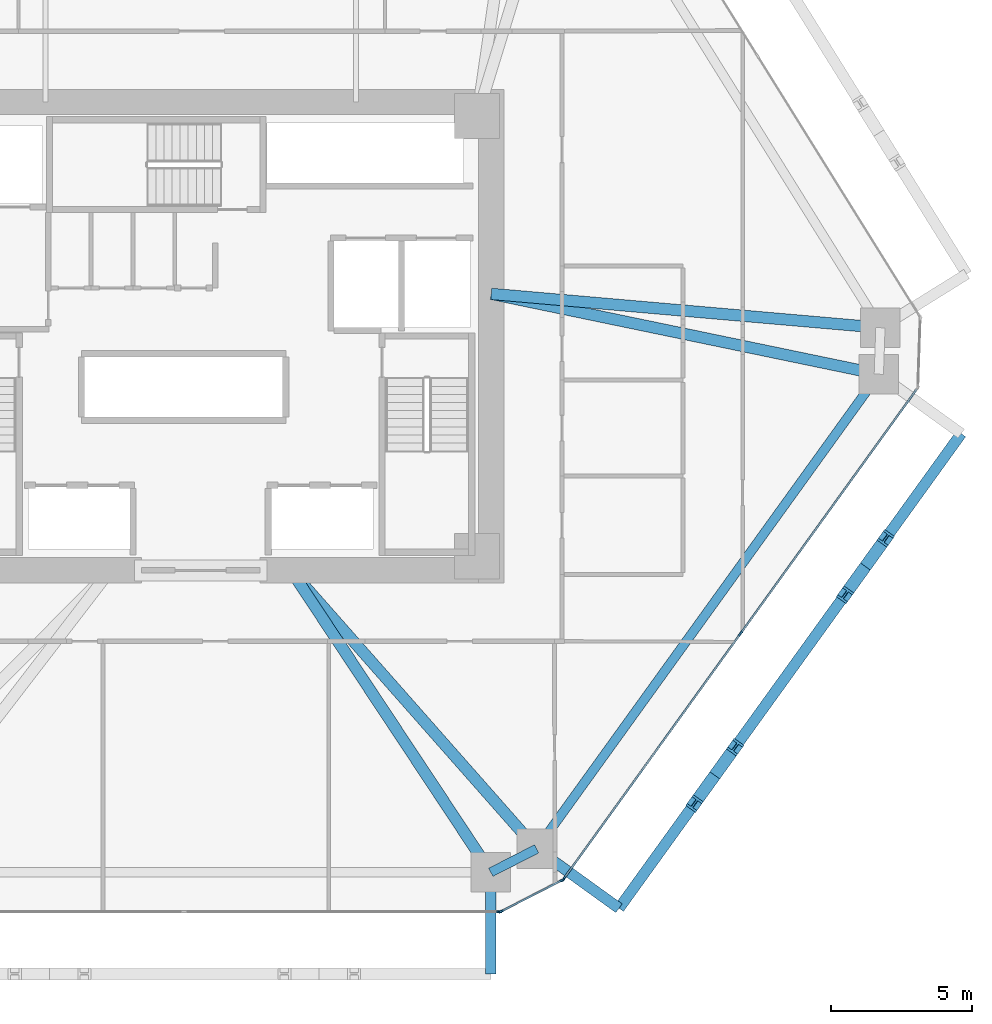
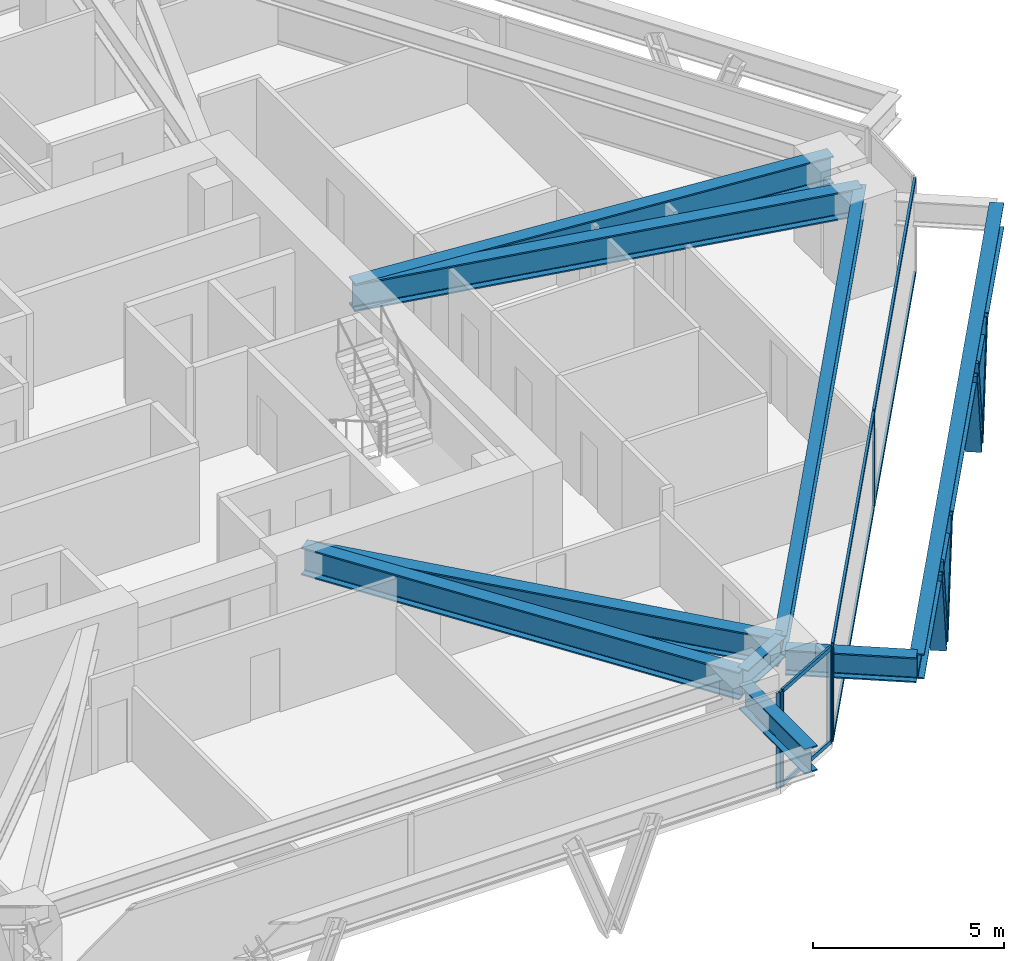
# One storey, part 5 of 15: 15 members, 9 beams, 3 elements without a shape of their own.
"""IFC4 building model written with IfcOpenShell, lengths in metres."""

from ifc_helpers import new_model, si_unit, direction, frame, origin, origin_2d, place, context, subcontext, project, spatial, rectangle, i_section, extrude, source, transform, mapped, material, layer, layer_set, material_profile, profile_set, type_object, type_shapes, element, aggregate, save


model = new_model("IFC4")

# Units and contexts
model_context = context("Model", 3, precision=1e-05, world=origin(), true_north=direction((0.0, 1.0)))
body_context = subcontext(model_context, "Body", "Model", "MODEL_VIEW")
ifc_project = project(units=[si_unit("LENGTHUNIT", "METRE"), si_unit("AREAUNIT", "SQUARE_METRE"), si_unit("VOLUMEUNIT", "CUBIC_METRE"), si_unit("PLANEANGLEUNIT", "RADIAN"), si_unit("MASSUNIT", "GRAM", prefix="KILO")], contexts=[model_context])

# Site, building, storey
site_placement = place(None, origin())
site = spatial("IfcSite", under=ifc_project, at=site_placement, CompositionType="ELEMENT")
building_placement = place(site_placement, origin())
building = spatial("IfcBuilding", under=site, at=building_placement, Name="Durnholm Broadcast Tower", CompositionType="ELEMENT")
storey_placement = place(building_placement, frame((0.0, 0.0, 55.5)))
storey = spatial("IfcBuildingStorey", under=building, at=storey_placement, Name="L13", CompositionType="ELEMENT", Elevation=55.5)

# Beams
ifc_material_1 = material(Name="Steel ASTM A992 Grade 50", Category="steel")
ifc_material_profile_1 = material_profile(ifc_material_1, i_section(OverallWidth=0.3291015625, OverallDepth=0.635009765625, WebThickness=0.017822265625, FlangeThickness=0.031005859375, FilletRadius=0.02783203125, at=origin_2d()), Name="W24X162")
ifc_profile_set_1 = profile_set([ifc_material_profile_1], Name="Steel ASTM A992 Grade 50")
beam_type_1 = type_object("IfcBeamType", Name="STL-SP-W24X162", PredefinedType="SPANDREL", material=ifc_profile_set_1)
shared_shape_1 = source(origin(), body_context, "Body", "SweptSolid", [
    extrude(i_section(OverallWidth=0.3291015625, OverallDepth=0.635009765625, WebThickness=0.017822265625, FlangeThickness=0.031005859375, FilletRadius=0.02783203125, at=origin_2d()), origin(), (0.0, 0.0, 1.0), 20.737060546875),
])
beam_1_placement = place(storey_placement, frame((24.034912109375, -1.347412109375, 2.7275390625), z_axis=(-0.584821933191, -0.811161701795, 0.0), x_axis=(0.811161701795, -0.584821933191, 0.0)))
element("IfcBeam", 1, at=beam_1_placement, inside=storey, type_object=beam_type_1, Name="L13 perimeter spandrel girder 09", PredefinedType="SPANDREL", context=body_context, shape_type="MappedRepresentation", body=[
    mapped(shared_shape_1, transform((0.0, 0.0, 0.0), x_axis=(1.0, 0.0, 0.0), y_axis=(0.0, 1.0, 0.0), z_axis=(0.0, 0.0, 1.0), scale=1.0)),
])
shared_shape_2 = source(origin(), body_context, "Body", "SweptSolid", [
    extrude(i_section(OverallWidth=0.3291015625, OverallDepth=0.635009765625, WebThickness=0.017822265625, FlangeThickness=0.031005859375, FilletRadius=0.02783203125, at=origin_2d()), origin(), (0.0, 0.0, 1.0), 1.8251953125),
])
type_shapes(beam_type_1, [shared_shape_1, shared_shape_2])
beam_2_placement = place(storey_placement, frame((11.907470703125, -18.16845703125, 2.7275390625), z_axis=(-0.890187609501, -0.455594139438, 0.0), x_axis=(0.455594139438, -0.890187609501, 0.0)))
element("IfcBeam", 2, at=beam_2_placement, inside=storey, type_object=beam_type_1, Name="L13 perimeter spandrel girder 10", PredefinedType="SPANDREL", context=body_context, shape_type="MappedRepresentation", body=[
    mapped(shared_shape_2, transform((0.0, 0.0, 0.0), x_axis=(1.0, 0.0, 0.0), y_axis=(0.0, 1.0, 0.0), z_axis=(0.0, 0.0, 1.0), scale=1.0)),
])
ifc_material_profile_2 = material_profile(ifc_material_1, i_section(OverallWidth=0.404052734375, OverallDepth=0.885009765625, WebThickness=0.0244140625, FlangeThickness=0.0439453125, FilletRadius=0.03564453125, at=origin_2d()), Name="W33X291")
ifc_profile_set_2 = profile_set([ifc_material_profile_2], Name="Steel ASTM A992 Grade 50")
beam_type_2 = type_object("IfcBeamType", Name="STL-GR-W33X291", PredefinedType="USERDEFINED", material=ifc_profile_set_2)
shared_shape_3 = source(origin(), body_context, "Body", "SweptSolid", [
    extrude(i_section(OverallWidth=0.404052734375, OverallDepth=0.885009765625, WebThickness=0.0244140625, FlangeThickness=0.0439453125, FilletRadius=0.03564453125, at=origin_2d()), origin(), (0.0, 0.0, 1.0), 13.843017578125),
])
beam_3_placement = place(storey_placement, frame((10.300048828125, 1.5, 2.6025390625), z_axis=(0.996234364864, -0.086701154915, 0.0), x_axis=(0.086701154915, 0.996234364864, 0.0)))
element("IfcBeam", 3, at=beam_3_placement, inside=storey, type_object=beam_type_2, Name="L13 radial primary floor girder 08", ObjectType="GIRDER", PredefinedType="USERDEFINED", context=body_context, shape_type="MappedRepresentation", body=[
    mapped(shared_shape_3, transform((0.0, 0.0, 0.0), x_axis=(1.0, 0.0, 0.0), y_axis=(0.0, 1.0, 0.0), z_axis=(0.0, 0.0, 1.0), scale=1.0)),
])
shared_shape_4 = source(origin(), body_context, "Body", "SweptSolid", [
    extrude(i_section(OverallWidth=0.404052734375, OverallDepth=0.885009765625, WebThickness=0.0244140625, FlangeThickness=0.0439453125, FilletRadius=0.03564453125, at=origin_2d()), origin(), (0.0, 0.0, 1.0), 14.02685546875),
])
beam_4_placement = place(storey_placement, frame((10.300048828125, 1.5, 2.6025390625), z_axis=(0.979179487914, -0.202996380382, 0.0), x_axis=(0.202996380382, 0.979179487914, 0.0)))
element("IfcBeam", 4, at=beam_4_placement, inside=storey, type_object=beam_type_2, Name="L13 radial primary floor girder 09", ObjectType="GIRDER", PredefinedType="USERDEFINED", context=body_context, shape_type="MappedRepresentation", body=[
    mapped(shared_shape_4, transform((0.0, 0.0, 0.0), x_axis=(1.0, 0.0, 0.0), y_axis=(0.0, 1.0, 0.0), z_axis=(0.0, 0.0, 1.0), scale=1.0)),
])
shared_shape_5 = source(origin(), body_context, "Body", "SweptSolid", [
    extrude(i_section(OverallWidth=0.404052734375, OverallDepth=0.885009765625, WebThickness=0.0244140625, FlangeThickness=0.0439453125, FilletRadius=0.03564453125, at=origin_2d()), origin(), (0.0, 0.0, 1.0), 13.160888671875),
])
beam_5_placement = place(storey_placement, frame((3.199951171875, -8.300048828125, 2.6025390625), z_axis=(0.661625931866, -0.749834065832, 0.0), x_axis=(0.749834065832, 0.661625931866, 0.0)))
element("IfcBeam", 5, at=beam_5_placement, inside=storey, type_object=beam_type_2, Name="L13 radial primary floor girder 10", ObjectType="GIRDER", PredefinedType="USERDEFINED", context=body_context, shape_type="MappedRepresentation", body=[
    mapped(shared_shape_5, transform((0.0, 0.0, 0.0), x_axis=(1.0, 0.0, 0.0), y_axis=(0.0, 1.0, 0.0), z_axis=(0.0, 0.0, 1.0), scale=1.0)),
])
shared_shape_6 = source(origin(), body_context, "Body", "SweptSolid", [
    extrude(i_section(OverallWidth=0.404052734375, OverallDepth=0.885009765625, WebThickness=0.0244140625, FlangeThickness=0.0439453125, FilletRadius=0.03564453125, at=origin_2d()), origin(), (0.0, 0.0, 1.0), 12.831787109375),
])
type_shapes(beam_type_2, [shared_shape_3, shared_shape_4, shared_shape_5, shared_shape_6])
beam_6_placement = place(storey_placement, frame((3.199951171875, -8.300048828125, 2.6025390625), z_axis=(0.551970609544, -0.833863565699, 0.0), x_axis=(0.833863565699, 0.551970609544, 0.0)))
element("IfcBeam", 6, at=beam_6_placement, inside=storey, type_object=beam_type_2, Name="L13 radial primary floor girder 11", ObjectType="GIRDER", PredefinedType="USERDEFINED", context=body_context, shape_type="MappedRepresentation", body=[
    mapped(shared_shape_6, transform((0.0, 0.0, 0.0), x_axis=(1.0, 0.0, 0.0), y_axis=(0.0, 1.0, 0.0), z_axis=(0.0, 0.0, 1.0), scale=1.0)),
])
ifc_material_profile_3 = material_profile(ifc_material_1, i_section(OverallWidth=0.385009765625, OverallDepth=0.802978515625, WebThickness=0.023681640625, FlangeThickness=0.0419921875, FilletRadius=0.032958984375, at=origin_2d()), Name="W30X261")
ifc_profile_set_3 = profile_set([ifc_material_profile_3], Name="Steel ASTM A992 Grade 50")
beam_type_3 = type_object("IfcBeamType", Name="BM-EXO-TIE", PredefinedType="USERDEFINED", material=ifc_profile_set_3)
shared_shape_7 = source(origin(), body_context, "Body", "SweptSolid", [
    extrude(i_section(OverallWidth=0.385009765625, OverallDepth=0.802978515625, WebThickness=0.023681640625, FlangeThickness=0.0419921875, FilletRadius=0.032958984375, at=origin_2d()), origin(), (0.0, 0.0, 1.0), 3.4560546875),
])
for number, where, z_axis, x_axis, name in (
    (7, (10.28271484375, -19.14404296875, 2.30859375), (0.0, -1.0, 0.0), (1.0, 0.0, 0.0), "L13 exoskeleton stand-off tie bracket F1.2"),
    (8, (12.024169921875, -18.252685546875, 2.30859375), (0.811157675106, -0.584827518262, 0.0), (0.584827518262, 0.811157675106, 0.0), "L13 exoskeleton stand-off tie bracket F2.1"),
):
    element("IfcBeam", number, at=place(storey_placement, frame(where, z_axis=z_axis, x_axis=x_axis)), inside=storey, type_object=beam_type_3, Name=name, ObjectType="GIRDER", PredefinedType="USERDEFINED", context=body_context, shape_type="MappedRepresentation", body=[
        mapped(shared_shape_7, transform((0.0, 0.0, 0.0), x_axis=(1.0, 0.0, 0.0), y_axis=(0.0, 1.0, 0.0), z_axis=(0.0, 0.0, 1.0), scale=1.0)),
    ])
shared_shape_8 = source(origin(), body_context, "Body", "SweptSolid", [
    extrude(i_section(OverallWidth=0.385009765625, OverallDepth=0.802978515625, WebThickness=0.023681640625, FlangeThickness=0.0419921875, FilletRadius=0.032958984375, at=origin_2d()), origin(), (0.0, 0.0, 1.0), 20.737060546875),
])
type_shapes(beam_type_3, [shared_shape_7, shared_shape_8])
beam_7_placement = place(storey_placement, frame((14.82763671875, -20.27392578125, 2.30859375), z_axis=(0.5848163482, 0.811165728368, 0.0), x_axis=(-0.811165728368, 0.5848163482, 0.0)))
element("IfcBeam", 9, at=beam_7_placement, inside=storey, type_object=beam_type_3, Name="L13 exoskeleton collector spandrel F2", PredefinedType="SPANDREL", context=body_context, shape_type="MappedRepresentation", body=[
    mapped(shared_shape_8, transform((0.0, 0.0, 0.0), x_axis=(1.0, 0.0, 0.0), y_axis=(0.0, 1.0, 0.0), z_axis=(0.0, 0.0, 1.0), scale=1.0)),
])

# Members
ifc_material_2 = material(Name="Steel ASTM A913 Grade 65", Category="steel")
ifc_material_profile_4 = material_profile(ifc_material_2, i_section(OverallWidth=0.43212890625, OverallDepth=0.497802734375, WebThickness=0.0556640625, FlangeThickness=0.0888671875, FilletRadius=0.030517578125, at=origin_2d()), Name="W14X500")
ifc_profile_set_4 = profile_set([ifc_material_profile_4], Name="Steel ASTM A913 Grade 65")
member_type_1 = type_object("IfcMemberType", Name="STL-DG-W14X500", PredefinedType="BRACE", material=ifc_profile_set_4)
shared_shape_9 = source(origin(), body_context, "Body", "SweptSolid", [
    extrude(i_section(OverallWidth=0.43212890625, OverallDepth=0.497802734375, WebThickness=0.0556640625, FlangeThickness=0.0888671875, FilletRadius=0.030517578125, at=origin_2d()), origin(), (0.0, 0.0, 1.0), 3.523193359375),
])
type_shapes(member_type_1, [shared_shape_9])
for number, where, z_axis, x_axis, name in (
    (10, (18.223388671875, -15.56396484375, -0.991455078125), (-0.204839138341, -0.284044529113, 0.93667477434), (0.81109123444, -0.58491966065, 0.0), "L13 stand-off diagrid brace F2.D1.1"),
    (11, (18.223388671875, -15.56396484375, -0.991455078125), (0.20477274847, 0.284048560399, 0.936688068046), (-0.811185111535, 0.584789461963, 0.0), "L13 stand-off diagrid brace F2.D1.2"),
    (12, (23.5595703125, -8.16259765625, -0.991455078125), (-0.204839138341, -0.284044529113, 0.93667477434), (0.81109123444, -0.58491966065, 0.0), "L13 stand-off diagrid brace F2.D2.1"),
    (13, (23.5595703125, -8.16259765625, -0.991455078125), (0.20477274847, 0.284048560399, 0.936688068046), (-0.811185111535, 0.584789461963, 0.0), "L13 stand-off diagrid brace F2.D2.2"),
):
    element("IfcMember", number, at=place(storey_placement, frame(where, z_axis=z_axis, x_axis=x_axis)), inside=storey, type_object=member_type_1, Name=name, PredefinedType="BRACE", context=body_context, shape_type="MappedRepresentation", body=[
        mapped(shared_shape_9, transform((0.0, 0.0, 0.0), x_axis=(1.0, 0.0, 0.0), y_axis=(0.0, 1.0, 0.0), z_axis=(0.0, 0.0, 1.0), scale=1.0)),
    ])

# Curtain wall, members
ifc_material_3 = material(Name="Aluminium and Solar Control IGU", Category="aluminium")
ifc_layer_1 = layer(ifc_material_3, 0.1650390625)
ifc_layer_set_1 = layer_set([ifc_layer_1], Name="Aluminium and Solar Control IGU")
curtain_wall_type_1 = type_object("IfcCurtainWallType", Name="CW-SYS-5", PredefinedType="NOTDEFINED", material=ifc_layer_set_1)
curtain_wall_1_placement = place(storey_placement, origin())
curtain_wall_1 = element("IfcCurtainWall", 14, at=curtain_wall_1_placement, inside=storey, type_object=curtain_wall_type_1, Name="L13 curtain wall CW-CORNER CW-L13-CRN-09", PredefinedType="NOTDEFINED")
ifc_material_4 = material(Name="Aluminium 6063-T6", Category="aluminium")
ifc_material_profile_5 = material_profile(ifc_material_4, rectangle(XDim=0.06494140625, YDim=0.1650390625, at=origin_2d()), Name="CWM65X165")
ifc_profile_set_5 = profile_set([ifc_material_profile_5], Name="Aluminium 6063-T6")
member_type_2 = type_object("IfcMemberType", Name="CW-SYS-5-MUL", PredefinedType="MULLION", material=ifc_profile_set_5)
shared_shape_10 = source(origin(), body_context, "Body", "SweptSolid", [
    extrude(rectangle(XDim=0.06494140625, YDim=0.1650390625, at=origin_2d()), origin(), (0.0, 0.0, 1.0), 3.06005859375),
])
type_shapes(member_type_2, [shared_shape_10])
member_1_placement = place(storey_placement, frame((12.816650390625, -19.27587890625, 0.0), z_axis=(0.0, 0.0, 1.0), x_axis=(0.455593758406, -0.890187804512, 0.0)))
member_1 = element("IfcMember", 15, at=member_1_placement, type_object=member_type_2, Name="CW-CORNER mullion 1", PredefinedType="MULLION", context=body_context, shape_type="MappedRepresentation", body=[
    mapped(shared_shape_10, transform((0.0, 0.0, 0.0), x_axis=(1.0, 0.0, 0.0), y_axis=(0.0, 1.0, 0.0), z_axis=(0.0, 0.0, 1.0), scale=1.0)),
])
member_2_placement = place(storey_placement, frame((10.649169921875, -20.38525390625, 0.0), z_axis=(0.0, 0.0, 1.0), x_axis=(0.455593758406, -0.890187804512, 0.0)))
member_2 = element("IfcMember", 16, at=member_2_placement, type_object=member_type_2, Name="CW-CORNER mullion 2", PredefinedType="MULLION", context=body_context, shape_type="MappedRepresentation", body=[
    mapped(shared_shape_10, transform((0.0, 0.0, 0.0), x_axis=(1.0, 0.0, 0.0), y_axis=(0.0, 1.0, 0.0), z_axis=(0.0, 0.0, 1.0), scale=1.0)),
])
ifc_material_profile_6 = material_profile(ifc_material_4, rectangle(XDim=0.06494140625, YDim=0.1298828125, at=origin_2d()), Name="CWT65X130")
ifc_profile_set_6 = profile_set([ifc_material_profile_6], Name="Aluminium 6063-T6")
member_type_3 = type_object("IfcMemberType", Name="CW-SYS-5-TRN", PredefinedType="USERDEFINED", material=ifc_profile_set_6)
shared_shape_11 = source(origin(), body_context, "Body", "SweptSolid", [
    extrude(rectangle(XDim=0.06494140625, YDim=0.1298828125, at=origin_2d()), origin(), (0.0, 0.0, 1.0), 2.3701171875),
])
type_shapes(member_type_3, [shared_shape_11])
member_3_placement = place(storey_placement, frame((12.787841796875, -19.29052734375, 0.032470703125), z_axis=(-0.890185016934, -0.455599205033, 0.0), x_axis=(0.455599205033, -0.890185016934, 0.0)))
member_3 = element("IfcMember", 17, at=member_3_placement, type_object=member_type_3, Name="CW-CORNER transom 1.1", ObjectType="TRANSOM", PredefinedType="USERDEFINED", context=body_context, shape_type="MappedRepresentation", body=[
    mapped(shared_shape_11, transform((0.0, 0.0, 0.0), x_axis=(1.0, 0.0, 0.0), y_axis=(0.0, 1.0, 0.0), z_axis=(0.0, 0.0, 1.0), scale=1.0)),
])
member_4_placement = place(storey_placement, frame((12.787841796875, -19.29052734375, 3.027587890625), z_axis=(-0.890185016934, -0.455599205033, 0.0), x_axis=(0.455599205033, -0.890185016934, 0.0)))
member_4 = element("IfcMember", 18, at=member_4_placement, type_object=member_type_3, Name="CW-CORNER transom 1.2", ObjectType="TRANSOM", PredefinedType="USERDEFINED", context=body_context, shape_type="MappedRepresentation", body=[
    mapped(shared_shape_11, transform((0.0, 0.0, 0.0), x_axis=(1.0, 0.0, 0.0), y_axis=(0.0, 1.0, 0.0), z_axis=(0.0, 0.0, 1.0), scale=1.0)),
])
aggregate(curtain_wall_1, [member_1, member_2, member_3, member_4])

ifc_layer_2 = layer(ifc_material_3, 0.18994140625)
ifc_layer_set_2 = layer_set([ifc_layer_2], Name="Aluminium and Solar Control IGU")
curtain_wall_type_2 = type_object("IfcCurtainWallType", Name="CW-SYS-3", PredefinedType="NOTDEFINED", material=ifc_layer_set_2)
curtain_wall_2_placement = place(storey_placement, origin())
curtain_wall_2 = element("IfcCurtainWall", 19, at=curtain_wall_2_placement, inside=storey, type_object=curtain_wall_type_2, Name="L13 curtain wall CW-Z12-VIS CW-L13-F08", PredefinedType="NOTDEFINED")
ifc_material_profile_7 = material_profile(ifc_material_4, rectangle(XDim=0.070068359375, YDim=0.18994140625, at=origin_2d()), Name="CWM70X190")
ifc_profile_set_7 = profile_set([ifc_material_profile_7], Name="Aluminium 6063-T6")
member_type_4 = type_object("IfcMemberType", Name="CW-SYS-3-MUL", PredefinedType="MULLION", material=ifc_profile_set_7)
shared_shape_12 = source(origin(), body_context, "Body", "SweptSolid", [
    extrude(rectangle(XDim=0.070068359375, YDim=0.18994140625, at=origin_2d()), origin(), (0.0, 0.0, 1.0), 3.06005859375),
])
type_shapes(member_type_4, [shared_shape_12])
member_5_placement = place(storey_placement, frame((19.1328125, -10.540771484375, 0.0), z_axis=(0.0, 0.0, 1.0), x_axis=(0.81116057493, -0.584823496176, 0.0)))
member_5 = element("IfcMember", 20, at=member_5_placement, type_object=member_type_4, Name="CW-Z12-VIS mullion 2", PredefinedType="MULLION", context=body_context, shape_type="MappedRepresentation", body=[
    mapped(shared_shape_12, transform((0.0, 0.0, 0.0), x_axis=(1.0, 0.0, 0.0), y_axis=(0.0, 1.0, 0.0), z_axis=(0.0, 0.0, 1.0), scale=1.0)),
])
member_6_placement = place(storey_placement, frame((12.8662109375, -19.232666015625, 0.0), z_axis=(0.0, 0.0, 1.0), x_axis=(0.81116057493, -0.584823496176, 0.0)))
member_6 = element("IfcMember", 21, at=member_6_placement, type_object=member_type_4, Name="CW-Z12-VIS mullion 3", PredefinedType="MULLION", context=body_context, shape_type="MappedRepresentation", body=[
    mapped(shared_shape_12, transform((0.0, 0.0, 0.0), x_axis=(1.0, 0.0, 0.0), y_axis=(0.0, 1.0, 0.0), z_axis=(0.0, 0.0, 1.0), scale=1.0)),
])

# Curtain wall, member
curtain_wall_3_placement = place(storey_placement, origin())
curtain_wall_3 = element("IfcCurtainWall", 22, at=curtain_wall_3_placement, inside=storey, type_object=curtain_wall_type_2, Name="L13 curtain wall CW-Z12-VIS CW-L13-F10", PredefinedType="NOTDEFINED")
member_7_placement = place(storey_placement, frame((10.585205078125, -20.39990234375, 0.0), z_axis=(0.0, 0.0, 1.0), x_axis=(0.0, -1.0, 0.0)))
member_7 = element("IfcMember", 23, at=member_7_placement, type_object=member_type_4, Name="CW-Z12-VIS mullion 1", PredefinedType="MULLION", context=body_context, shape_type="MappedRepresentation", body=[
    mapped(shared_shape_12, transform((0.0, 0.0, 0.0), x_axis=(1.0, 0.0, 0.0), y_axis=(0.0, 1.0, 0.0), z_axis=(0.0, 0.0, 1.0), scale=1.0)),
])
aggregate(curtain_wall_3, [member_7])

# Member
ifc_material_profile_8 = material_profile(ifc_material_4, rectangle(XDim=0.070068359375, YDim=0.14990234375, at=origin_2d()), Name="CWT70X150")
ifc_profile_set_8 = profile_set([ifc_material_profile_8], Name="Aluminium 6063-T6")
member_type_5 = type_object("IfcMemberType", Name="CW-SYS-3-TRN", PredefinedType="USERDEFINED", material=ifc_profile_set_8)
shared_shape_13 = source(origin(), body_context, "Body", "SweptSolid", [
    extrude(rectangle(XDim=0.070068359375, YDim=0.14990234375, at=origin_2d()), origin(), (0.0, 0.0, 1.0), 10.6455078125),
])
member_8_placement = place(storey_placement, frame((25.37890625, -1.877197265625, 0.034912109375), z_axis=(-0.584812103659, -0.811168788486, 0.0), x_axis=(0.811168788486, -0.584812103659, 0.0)))
member_8 = element("IfcMember", 24, at=member_8_placement, type_object=member_type_5, Name="CW-Z12-VIS transom 1.1", ObjectType="TRANSOM", PredefinedType="USERDEFINED", context=body_context, shape_type="MappedRepresentation", body=[
    mapped(shared_shape_13, transform((0.0, 0.0, 0.0), x_axis=(1.0, 0.0, 0.0), y_axis=(0.0, 1.0, 0.0), z_axis=(0.0, 0.0, 1.0), scale=1.0)),
])

member_9_placement = place(storey_placement, frame((25.37890625, -1.877197265625, 3.02490234375), z_axis=(-0.584812103659, -0.811168788486, 0.0), x_axis=(0.811168788486, -0.584812103659, 0.0)))
member_9 = element("IfcMember", 25, at=member_9_placement, type_object=member_type_5, Name="CW-Z12-VIS transom 1.2", ObjectType="TRANSOM", PredefinedType="USERDEFINED", context=body_context, shape_type="MappedRepresentation", body=[
    mapped(shared_shape_13, transform((0.0, 0.0, 0.0), x_axis=(1.0, 0.0, 0.0), y_axis=(0.0, 1.0, 0.0), z_axis=(0.0, 0.0, 1.0), scale=1.0)),
])

shared_shape_14 = source(origin(), body_context, "Body", "SweptSolid", [
    extrude(rectangle(XDim=0.070068359375, YDim=0.14990234375, at=origin_2d()), origin(), (0.0, 0.0, 1.0), 10.645263671875),
])
type_shapes(member_type_5, [shared_shape_13, shared_shape_14])
member_10_placement = place(storey_placement, frame((19.1123046875, -10.569091796875, 0.034912109375), z_axis=(-0.584822983179, -0.811160944786, 0.0), x_axis=(0.811160944786, -0.584822983179, 0.0)))
member_10 = element("IfcMember", 26, at=member_10_placement, type_object=member_type_5, Name="CW-Z12-VIS transom 2.1", ObjectType="TRANSOM", PredefinedType="USERDEFINED", context=body_context, shape_type="MappedRepresentation", body=[
    mapped(shared_shape_14, transform((0.0, 0.0, 0.0), x_axis=(1.0, 0.0, 0.0), y_axis=(0.0, 1.0, 0.0), z_axis=(0.0, 0.0, 1.0), scale=1.0)),
])

member_11_placement = place(storey_placement, frame((19.1123046875, -10.569091796875, 3.02490234375), z_axis=(-0.584822983179, -0.811160944786, 0.0), x_axis=(0.811160944786, -0.584822983179, 0.0)))
member_11 = element("IfcMember", 27, at=member_11_placement, type_object=member_type_5, Name="CW-Z12-VIS transom 2.2", ObjectType="TRANSOM", PredefinedType="USERDEFINED", context=body_context, shape_type="MappedRepresentation", body=[
    mapped(shared_shape_14, transform((0.0, 0.0, 0.0), x_axis=(1.0, 0.0, 0.0), y_axis=(0.0, 1.0, 0.0), z_axis=(0.0, 0.0, 1.0), scale=1.0)),
])

aggregate(curtain_wall_2, [member_5, member_6, member_8, member_9, member_10, member_11])

save(model, "model.ifc")
